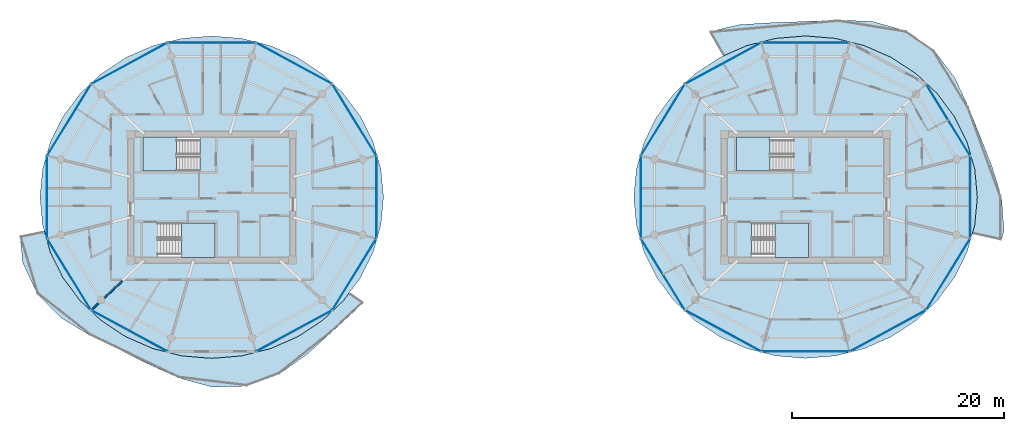
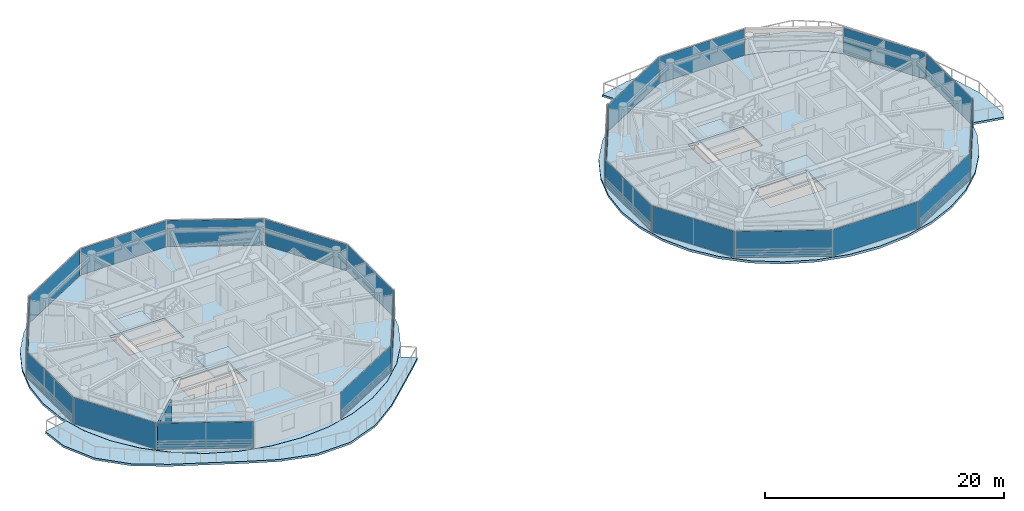
# One storey, part 8 of 19: 22 plates, 8 slabs, 1 wall, 26 elements without a shape of their own.
"""IFC4 building model written with IfcOpenShell, lengths in metres."""

from ifc_helpers import new_model, si_unit, direction, frame, frame_2d, origin, origin_2d, place, context, subcontext, project, spatial, polyline, rectangle, outline, extrude, source, transform, mapped, material, layer, layer_set, type_object, type_shapes, element, aggregate, save


model = new_model("IFC4")

# Units and contexts
model_context = context("Model", 3, precision=1e-05, world=origin(), true_north=direction((0.0, 1.0)))
body_context = subcontext(model_context, "Body", "Model", "MODEL_VIEW")
ifc_project = project(units=[si_unit("LENGTHUNIT", "METRE"), si_unit("AREAUNIT", "SQUARE_METRE"), si_unit("VOLUMEUNIT", "CUBIC_METRE"), si_unit("PLANEANGLEUNIT", "RADIAN"), si_unit("MASSUNIT", "GRAM", prefix="KILO")], contexts=[model_context])

# Site, building, storey
site_placement = place(None, origin())
site = spatial("IfcSite", under=ifc_project, at=site_placement, CompositionType="ELEMENT")
building_placement = place(site_placement, origin())
building = spatial("IfcBuilding", under=site, at=building_placement, Name="Norrkilde Senior Care Towers", CompositionType="ELEMENT")
storey_placement = place(building_placement, frame((0.0, 0.0, 235.25)))
storey = spatial("IfcBuildingStorey", under=building, at=storey_placement, Name="L73", CompositionType="ELEMENT", Elevation=235.25)

# Slabs
ifc_material_1 = material(Name="Concrete C50/60", Category="concrete")
ifc_layer_1 = layer(ifc_material_1, 0.215087890625)
ifc_layer_set_1 = layer_set([ifc_layer_1], Name="Concrete C50/60")
slab_type_1 = type_object("IfcSlabType", Name="Sinusoidal Balcony Ribbon Slab 215", PredefinedType="FLOOR", material=ifc_layer_set_1)
slab_1_placement = place(storey_placement, frame((0.0, 0.0, -0.215087890625)))
element("IfcSlab", 1, at=slab_1_placement, inside=storey, type_object=slab_type_1, Name="L73 Drum W Swirling Senior Balcony 1", PredefinedType="FLOOR", context=body_context, shape_type="SweptSolid", body=[
    extrude(outline(polyline([(-16.716796875, -12.7490234375), (-19.001953125, -14.821533203125), (-21.639892578125, -16.682861328125), (-24.71484375, -17.82275390625), (-28.0, -17.90087890625), (-31.155517578125, -17.038818359375), (-34.030029296875, -15.71630859375), (-36.7509765625, -14.365478515625), (-39.502685546875, -13.027587890625), (-42.210205078125, -11.38037109375), (-44.46728515625, -9.099853515625), (-45.81689453125, -6.204833984375), (-46.083251953125, -3.670654296875), (-43.797119140625, -3.20654296875), (-43.227783203125, -5.200439453125), (-42.033935546875, -7.6025390625), (-40.413818359375, -9.773681640625), (-38.416259765625, -11.647705078125), (-36.1025390625, -13.16796875), (-33.54248046875, -14.2880859375), (-30.81396484375, -14.97412109375), (-28.0, -15.205078125), (-25.18603515625, -14.97412109375), (-22.45751953125, -14.2880859375), (-19.8974609375, -13.16796875), (-17.583740234375, -11.647705078125), (-15.586181640625, -9.773681640625), (-15.015625, -9.0087890625), (-13.677978515625, -9.936767578125), (-14.51611328125, -10.730712890625), (-16.716796875, -12.7490234375)])), origin(), (0.0, 0.0, 1.0), 0.215087890625),
])
slab_2_placement = place(storey_placement, frame((0.0, 0.0, -0.215087890625)))
element("IfcSlab", 2, at=slab_2_placement, inside=storey, type_object=slab_type_1, Name="L73 Drum E Swirling Senior Balcony 1", PredefinedType="FLOOR", context=body_context, shape_type="SweptSolid", body=[
    extrude(outline(polyline([(43.722900390625, -3.46630859375), (43.958740234375, -2.640380859375), (44.205078125, 0.0), (43.958740234375, 2.640380859375), (43.227783203125, 5.200439453125), (42.033935546875, 7.6025390625), (40.413818359375, 9.773681640625), (38.416259765625, 11.647705078125), (36.1025390625, 13.16796875), (33.54248046875, 14.2880859375), (30.81396484375, 14.97412109375), (28.0, 15.205078125), (25.18603515625, 14.97412109375), (22.45751953125, 14.2880859375), (20.263671875, 13.328125), (18.937255859375, 15.613037109375), (21.78125, 16.268798828125), (24.939697265625, 16.463134765625), (28.0, 16.56689453125), (31.1005859375, 16.70654296875), (34.3212890625, 16.569091796875), (37.463134765625, 15.68017578125), (40.13427734375, 13.829833984375), (42.07421875, 11.2587890625), (43.397705078125, 8.44189453125), (44.482177734375, 5.68701171875), (45.573486328125, 2.94384765625), (46.486083984375, 0.0), (46.71484375, -3.158203125), (46.46484375, -4.07080078125), (43.722900390625, -3.46630859375)])), origin(), (0.0, 0.0, 1.0), 0.215087890625),
])

# Stair, slab
ifc_material_2 = material(Name="Concrete C45/55", Category="concrete")
stair_type = type_object("IfcStairType", Name="Core Protected Dogleg Stair Typical 3050", PredefinedType="HALF_TURN_STAIR", material=ifc_material_2)
stair_1_placement = place(storey_placement, origin())
stair_1 = element("IfcStair", 3, at=stair_1_placement, inside=storey, type_object=stair_type, Name="L73 Protected Core Stair W1", PredefinedType="HALF_TURN_STAIR")
ifc_layer_2 = layer(ifc_material_2, 0.199951171875)
ifc_layer_set_2 = layer_set([ifc_layer_2], Name="Concrete C45/55")
slab_type_2 = type_object("IfcSlabType", Name="Stair Landing Slab 200", PredefinedType="LANDING", material=ifc_layer_set_2)
slab_3_placement = place(storey_placement, frame((0.0, 0.0, 1.324951171875)))
slab_3 = element("IfcSlab", 4, at=slab_3_placement, type_object=slab_type_2, Name="ST-W1 landing 1", PredefinedType="LANDING", context=body_context, shape_type="SweptSolid", body=[
    extrude(outline(polyline([(-31.340087890625, 5.68994140625), (-34.5, 5.68994140625), (-34.5, 2.449951171875), (-31.340087890625, 2.449951171875), (-31.340087890625, 5.68994140625)])), origin(), (0.0, 0.0, 1.0), 0.199951171875),
])
aggregate(stair_1, [slab_3])

stair_2_placement = place(storey_placement, origin())
stair_2 = element("IfcStair", 5, at=stair_2_placement, inside=storey, type_object=stair_type, Name="L73 Protected Core Stair W2", PredefinedType="HALF_TURN_STAIR")
slab_4_placement = place(storey_placement, frame((0.0, 0.0, 1.324951171875)))
slab_4 = element("IfcSlab", 6, at=slab_4_placement, type_object=slab_type_2, Name="ST-W2 landing 1", PredefinedType="LANDING", context=body_context, shape_type="SweptSolid", body=[
    extrude(outline(polyline([(-30.860107421875, -5.68994140625), (-27.699951171875, -5.68994140625), (-27.699951171875, -2.449951171875), (-30.860107421875, -2.449951171875), (-30.860107421875, -5.68994140625)])), origin(), (0.0, 0.0, 1.0), 0.199951171875),
])
aggregate(stair_2, [slab_4])

stair_3_placement = place(storey_placement, origin())
stair_3 = element("IfcStair", 7, at=stair_3_placement, inside=storey, type_object=stair_type, Name="L73 Protected Core Stair E1", PredefinedType="HALF_TURN_STAIR")
slab_5_placement = place(storey_placement, frame((0.0, 0.0, 1.324951171875)))
slab_5 = element("IfcSlab", 8, at=slab_5_placement, type_object=slab_type_2, Name="ST-E1 landing 1", PredefinedType="LANDING", context=body_context, shape_type="SweptSolid", body=[
    extrude(outline(polyline([(24.659912109375, 5.68994140625), (21.5, 5.68994140625), (21.5, 2.449951171875), (24.659912109375, 2.449951171875), (24.659912109375, 5.68994140625)])), origin(), (0.0, 0.0, 1.0), 0.199951171875),
])
aggregate(stair_3, [slab_5])

stair_4_placement = place(storey_placement, origin())
stair_4 = element("IfcStair", 9, at=stair_4_placement, inside=storey, type_object=stair_type, Name="L73 Protected Core Stair E2", PredefinedType="HALF_TURN_STAIR")
slab_6_placement = place(storey_placement, frame((0.0, 0.0, 1.324951171875)))
slab_6 = element("IfcSlab", 10, at=slab_6_placement, type_object=slab_type_2, Name="ST-E2 landing 1", PredefinedType="LANDING", context=body_context, shape_type="SweptSolid", body=[
    extrude(outline(polyline([(25.139892578125, -5.68994140625), (28.300048828125, -5.68994140625), (28.300048828125, -2.449951171875), (25.139892578125, -2.449951171875), (25.139892578125, -5.68994140625)])), origin(), (0.0, 0.0, 1.0), 0.199951171875),
])
aggregate(stair_4, [slab_6])

# Slabs
ifc_layer_3 = layer(ifc_material_1, 0.239990234375)
ifc_layer_set_3 = layer_set([ifc_layer_3], Name="Concrete C50/60")
slab_type_3 = type_object("IfcSlabType", Name="Tower Residence Floor Slab 240", PredefinedType="FLOOR", material=ifc_layer_set_3)
slab_7_placement = place(storey_placement, frame((0.0, 0.0, -0.239990234375)))
element("IfcSlab", 11, at=slab_7_placement, inside=storey, type_object=slab_type_3, Name="L73 Drum W Structural Floor Slab", PredefinedType="FLOOR", context=body_context, shape_type="SweptSolid", body=[
    extrude(outline(polyline([(-12.777099609375, -5.19873046875), (-13.970458984375, -7.60009765625), (-15.590087890625, -9.770263671875), (-17.5869140625, -11.643798828125), (-19.89990234375, -13.16357421875), (-22.459228515625, -14.283447265625), (-25.18701171875, -14.968994140625), (-28.0, -15.199951171875), (-30.81298828125, -14.968994140625), (-33.540771484375, -14.283447265625), (-36.10009765625, -13.16357421875), (-38.4130859375, -11.643798828125), (-40.409912109375, -9.770263671875), (-42.029541015625, -7.60009765625), (-43.222900390625, -5.19873046875), (-43.953857421875, -2.639404296875), (-44.199951171875, 0.0), (-43.953857421875, 2.639404296875), (-43.222900390625, 5.19873046875), (-42.029541015625, 7.60009765625), (-40.409912109375, 9.770263671875), (-38.4130859375, 11.643798828125), (-36.10009765625, 13.16357421875), (-33.540771484375, 14.283447265625), (-30.81298828125, 14.968994140625), (-28.0, 15.199951171875), (-25.18701171875, 14.968994140625), (-22.459228515625, 14.283447265625), (-19.89990234375, 13.16357421875), (-17.5869140625, 11.643798828125), (-15.590087890625, 9.770263671875), (-13.970458984375, 7.60009765625), (-12.777099609375, 5.19873046875), (-12.046142578125, 2.639404296875), (-11.800048828125, 0.0), (-12.046142578125, -2.639404296875), (-12.777099609375, -5.19873046875)]), holes=[polyline([(-34.48193359375, 2.468017578125), (-29.117919921875, 2.468017578125), (-29.117919921875, 5.68994140625), (-34.48193359375, 5.68994140625), (-34.48193359375, 2.468017578125)]), polyline([(-27.718017578125, -5.68994140625), (-27.718017578125, -2.468017578125), (-33.08203125, -2.468017578125), (-33.08203125, -5.68994140625), (-27.718017578125, -5.68994140625)])]), origin(), (0.0, 0.0, 1.0), 0.239990234375),
])
slab_8_placement = place(storey_placement, frame((0.0, 0.0, -0.239990234375)))
element("IfcSlab", 12, at=slab_8_placement, inside=storey, type_object=slab_type_3, Name="L73 Drum E Structural Floor Slab", PredefinedType="FLOOR", context=body_context, shape_type="SweptSolid", body=[
    extrude(outline(polyline([(43.222900390625, -5.19873046875), (42.029541015625, -7.60009765625), (40.409912109375, -9.770263671875), (38.4130859375, -11.643798828125), (36.10009765625, -13.16357421875), (33.540771484375, -14.283447265625), (30.81298828125, -14.968994140625), (28.0, -15.199951171875), (25.18701171875, -14.968994140625), (22.459228515625, -14.283447265625), (19.89990234375, -13.16357421875), (17.5869140625, -11.643798828125), (15.590087890625, -9.770263671875), (13.970458984375, -7.60009765625), (12.777099609375, -5.19873046875), (12.046142578125, -2.639404296875), (11.800048828125, 0.0), (12.046142578125, 2.639404296875), (12.777099609375, 5.19873046875), (13.970458984375, 7.60009765625), (15.590087890625, 9.770263671875), (17.5869140625, 11.643798828125), (19.89990234375, 13.16357421875), (22.459228515625, 14.283447265625), (25.18701171875, 14.968994140625), (28.0, 15.199951171875), (30.81298828125, 14.968994140625), (33.540771484375, 14.283447265625), (36.10009765625, 13.16357421875), (38.4130859375, 11.643798828125), (40.409912109375, 9.770263671875), (42.029541015625, 7.60009765625), (43.222900390625, 5.19873046875), (43.953857421875, 2.639404296875), (44.199951171875, 0.0), (43.953857421875, -2.639404296875), (43.222900390625, -5.19873046875)]), holes=[polyline([(21.51806640625, 2.468017578125), (26.882080078125, 2.468017578125), (26.882080078125, 5.68994140625), (21.51806640625, 5.68994140625), (21.51806640625, 2.468017578125)]), polyline([(28.281982421875, -5.68994140625), (28.281982421875, -2.468017578125), (22.91796875, -2.468017578125), (22.91796875, -5.68994140625), (28.281982421875, -5.68994140625)])]), origin(), (0.0, 0.0, 1.0), 0.239990234375),
])

# Curtain wall, plate
ifc_material_3 = material(Name="Triple Low-E Insulated Glazing", Category="glass")
ifc_layer_4 = layer(ifc_material_3, 0.18505859375)
ifc_layer_set_4 = layer_set([ifc_layer_4], Name="Triple Low-E Insulated Glazing")
curtain_wall_type = type_object("IfcCurtainWallType", Name="CW6 Zone 4 Crown Pavilion Curtain Wall", PredefinedType="NOTDEFINED", material=ifc_layer_set_4)
curtain_wall_1_placement = place(storey_placement, origin())
curtain_wall_1 = element("IfcCurtainWall", 13, at=curtain_wall_1_placement, inside=storey, type_object=curtain_wall_type, Name="L73 Drum W Curtain Wall 00", PredefinedType="NOTDEFINED")
ifc_layer_5 = layer(ifc_material_3, 0.035888671875)
ifc_layer_set_5 = layer_set([ifc_layer_5], Name="Triple Low-E Insulated Glazing")
plate_type = type_object("IfcPlateType", Name="Triple Low-E Vision Curtain Panel 36", PredefinedType="CURTAIN_PANEL", material=ifc_layer_set_5)
shared_shape_1 = source(origin(), body_context, "Body", "SweptSolid", [
    extrude(rectangle(XDim=7.80859375, YDim=0.035888671875, at=origin_2d()), origin(), (0.0, 0.0, 1.0), 2.68994140625),
])
plate_1_placement = place(storey_placement, frame((-14.548828125, 7.282958984375, 0.06005859375), z_axis=(0.0, 0.0, 1.0), x_axis=(0.524252726748, -0.851562727283, 0.0)))
plate_1 = element("IfcPlate", 14, at=plate_1_placement, type_object=plate_type, Name="CW-6 panel 1.1", PredefinedType="CURTAIN_PANEL", context=body_context, shape_type="MappedRepresentation", body=[
    mapped(shared_shape_1, transform((0.0, 0.0, 0.0), x_axis=(1.0, 0.0, 0.0), y_axis=(0.0, 1.0, 0.0), z_axis=(0.0, 0.0, 1.0), scale=1.0)),
])
aggregate(curtain_wall_1, [plate_1])

curtain_wall_2_placement = place(storey_placement, origin())
curtain_wall_2 = element("IfcCurtainWall", 15, at=curtain_wall_2_placement, inside=storey, type_object=curtain_wall_type, Name="L73 Drum W Curtain Wall 04", PredefinedType="NOTDEFINED")
plate_2_placement = place(storey_placement, frame((-41.451171875, 7.282958984375, 0.06005859375), z_axis=(0.0, 0.0, 1.0), x_axis=(0.524252726748, 0.851562727283, 0.0)))
plate_2 = element("IfcPlate", 16, at=plate_2_placement, type_object=plate_type, Name="CW-6 panel 1.1", PredefinedType="CURTAIN_PANEL", context=body_context, shape_type="MappedRepresentation", body=[
    mapped(shared_shape_1, transform((0.0, 0.0, 0.0), x_axis=(1.0, 0.0, 0.0), y_axis=(0.0, 1.0, 0.0), z_axis=(0.0, 0.0, 1.0), scale=1.0)),
])
aggregate(curtain_wall_2, [plate_2])

curtain_wall_3_placement = place(storey_placement, origin())
curtain_wall_3 = element("IfcCurtainWall", 17, at=curtain_wall_3_placement, inside=storey, type_object=curtain_wall_type, Name="L73 Drum W Curtain Wall 06", PredefinedType="NOTDEFINED")
plate_3_placement = place(storey_placement, frame((-41.451171875, -7.282958984375, 0.06005859375), z_axis=(0.0, 0.0, 1.0), x_axis=(-0.524252726748, 0.851562727283, 0.0)))
plate_3 = element("IfcPlate", 18, at=plate_3_placement, type_object=plate_type, Name="CW-6 panel 1.1", PredefinedType="CURTAIN_PANEL", context=body_context, shape_type="MappedRepresentation", body=[
    mapped(shared_shape_1, transform((0.0, 0.0, 0.0), x_axis=(1.0, 0.0, 0.0), y_axis=(0.0, 1.0, 0.0), z_axis=(0.0, 0.0, 1.0), scale=1.0)),
])
aggregate(curtain_wall_3, [plate_3])

curtain_wall_4_placement = place(storey_placement, origin())
curtain_wall_4 = element("IfcCurtainWall", 19, at=curtain_wall_4_placement, inside=storey, type_object=curtain_wall_type, Name="L73 Drum W Curtain Wall 10", PredefinedType="NOTDEFINED")
plate_4_placement = place(storey_placement, frame((-14.548828125, -7.282958984375, 0.06005859375), z_axis=(0.0, 0.0, 1.0), x_axis=(-0.524252726748, -0.851562727283, 0.0)))
plate_4 = element("IfcPlate", 20, at=plate_4_placement, type_object=plate_type, Name="CW-6 panel 1.1", PredefinedType="CURTAIN_PANEL", context=body_context, shape_type="MappedRepresentation", body=[
    mapped(shared_shape_1, transform((0.0, 0.0, 0.0), x_axis=(1.0, 0.0, 0.0), y_axis=(0.0, 1.0, 0.0), z_axis=(0.0, 0.0, 1.0), scale=1.0)),
])
aggregate(curtain_wall_4, [plate_4])

curtain_wall_5_placement = place(storey_placement, origin())
curtain_wall_5 = element("IfcCurtainWall", 21, at=curtain_wall_5_placement, inside=storey, type_object=curtain_wall_type, Name="L73 Drum E Curtain Wall 00", PredefinedType="NOTDEFINED")
plate_5_placement = place(storey_placement, frame((41.451171875, 7.282958984375, 0.06005859375), z_axis=(0.0, 0.0, 1.0), x_axis=(0.524252726748, -0.851562727283, 0.0)))
plate_5 = element("IfcPlate", 22, at=plate_5_placement, type_object=plate_type, Name="CW-6 panel 1.1", PredefinedType="CURTAIN_PANEL", context=body_context, shape_type="MappedRepresentation", body=[
    mapped(shared_shape_1, transform((0.0, 0.0, 0.0), x_axis=(1.0, 0.0, 0.0), y_axis=(0.0, 1.0, 0.0), z_axis=(0.0, 0.0, 1.0), scale=1.0)),
])
aggregate(curtain_wall_5, [plate_5])

curtain_wall_6_placement = place(storey_placement, origin())
curtain_wall_6 = element("IfcCurtainWall", 23, at=curtain_wall_6_placement, inside=storey, type_object=curtain_wall_type, Name="L73 Drum E Curtain Wall 04", PredefinedType="NOTDEFINED")
plate_6_placement = place(storey_placement, frame((14.548828125, 7.282958984375, 0.06005859375), z_axis=(0.0, 0.0, 1.0), x_axis=(0.524252726748, 0.851562727283, 0.0)))
plate_6 = element("IfcPlate", 24, at=plate_6_placement, type_object=plate_type, Name="CW-6 panel 1.1", PredefinedType="CURTAIN_PANEL", context=body_context, shape_type="MappedRepresentation", body=[
    mapped(shared_shape_1, transform((0.0, 0.0, 0.0), x_axis=(1.0, 0.0, 0.0), y_axis=(0.0, 1.0, 0.0), z_axis=(0.0, 0.0, 1.0), scale=1.0)),
])
aggregate(curtain_wall_6, [plate_6])

curtain_wall_7_placement = place(storey_placement, origin())
curtain_wall_7 = element("IfcCurtainWall", 25, at=curtain_wall_7_placement, inside=storey, type_object=curtain_wall_type, Name="L73 Drum E Curtain Wall 06", PredefinedType="NOTDEFINED")
plate_7_placement = place(storey_placement, frame((14.548828125, -7.282958984375, 0.06005859375), z_axis=(0.0, 0.0, 1.0), x_axis=(-0.524252726748, 0.851562727283, 0.0)))
plate_7 = element("IfcPlate", 26, at=plate_7_placement, type_object=plate_type, Name="CW-6 panel 1.1", PredefinedType="CURTAIN_PANEL", context=body_context, shape_type="MappedRepresentation", body=[
    mapped(shared_shape_1, transform((0.0, 0.0, 0.0), x_axis=(1.0, 0.0, 0.0), y_axis=(0.0, 1.0, 0.0), z_axis=(0.0, 0.0, 1.0), scale=1.0)),
])
aggregate(curtain_wall_7, [plate_7])

curtain_wall_8_placement = place(storey_placement, origin())
curtain_wall_8 = element("IfcCurtainWall", 27, at=curtain_wall_8_placement, inside=storey, type_object=curtain_wall_type, Name="L73 Drum E Curtain Wall 10", PredefinedType="NOTDEFINED")
plate_8_placement = place(storey_placement, frame((41.451171875, -7.282958984375, 0.06005859375), z_axis=(0.0, 0.0, 1.0), x_axis=(-0.524252726748, -0.851562727283, 0.0)))
plate_8 = element("IfcPlate", 28, at=plate_8_placement, type_object=plate_type, Name="CW-6 panel 1.1", PredefinedType="CURTAIN_PANEL", context=body_context, shape_type="MappedRepresentation", body=[
    mapped(shared_shape_1, transform((0.0, 0.0, 0.0), x_axis=(1.0, 0.0, 0.0), y_axis=(0.0, 1.0, 0.0), z_axis=(0.0, 0.0, 1.0), scale=1.0)),
])
aggregate(curtain_wall_8, [plate_8])

curtain_wall_9_placement = place(storey_placement, origin())
curtain_wall_9 = element("IfcCurtainWall", 29, at=curtain_wall_9_placement, inside=storey, type_object=curtain_wall_type, Name="L73 Drum W Curtain Wall 02", PredefinedType="NOTDEFINED")
shared_shape_2 = source(origin(), body_context, "Body", "SweptSolid", [
    extrude(rectangle(XDim=8.193603515625, YDim=0.035888671875, at=origin_2d()), origin(), (0.0, 0.0, 1.0), 2.68994140625),
])
plate_9_placement = place(storey_placement, frame((-28.0, 14.566162109375, 0.06005859375), z_axis=(0.0, 0.0, 1.0), x_axis=(1.0, 0.0, 0.0)))
plate_9 = element("IfcPlate", 30, at=plate_9_placement, type_object=plate_type, Name="CW-6 panel 1.1", PredefinedType="CURTAIN_PANEL", context=body_context, shape_type="MappedRepresentation", body=[
    mapped(shared_shape_2, transform((0.0, 0.0, 0.0), x_axis=(1.0, 0.0, 0.0), y_axis=(0.0, 1.0, 0.0), z_axis=(0.0, 0.0, 1.0), scale=1.0)),
])
aggregate(curtain_wall_9, [plate_9])

curtain_wall_10_placement = place(storey_placement, origin())
curtain_wall_10 = element("IfcCurtainWall", 31, at=curtain_wall_10_placement, inside=storey, type_object=curtain_wall_type, Name="L73 Drum E Curtain Wall 02", PredefinedType="NOTDEFINED")
plate_10_placement = place(storey_placement, frame((28.0, 14.566162109375, 0.06005859375), z_axis=(0.0, 0.0, 1.0), x_axis=(1.0, 0.0, 0.0)))
plate_10 = element("IfcPlate", 32, at=plate_10_placement, type_object=plate_type, Name="CW-6 panel 1.1", PredefinedType="CURTAIN_PANEL", context=body_context, shape_type="MappedRepresentation", body=[
    mapped(shared_shape_2, transform((0.0, 0.0, 0.0), x_axis=(1.0, 0.0, 0.0), y_axis=(0.0, 1.0, 0.0), z_axis=(0.0, 0.0, 1.0), scale=1.0)),
])
aggregate(curtain_wall_10, [plate_10])

curtain_wall_11_placement = place(storey_placement, origin())
curtain_wall_11 = element("IfcCurtainWall", 33, at=curtain_wall_11_placement, inside=storey, type_object=curtain_wall_type, Name="L73 Drum E Curtain Wall 08", PredefinedType="NOTDEFINED")
plate_11_placement = place(storey_placement, frame((28.0, -14.566162109375, 0.06005859375), z_axis=(0.0, 0.0, 1.0), x_axis=(-1.0, 0.0, 0.0)))
plate_11 = element("IfcPlate", 34, at=plate_11_placement, type_object=plate_type, Name="CW-6 panel 1.1", PredefinedType="CURTAIN_PANEL", context=body_context, shape_type="MappedRepresentation", body=[
    mapped(shared_shape_2, transform((0.0, 0.0, 0.0), x_axis=(1.0, 0.0, 0.0), y_axis=(0.0, 1.0, 0.0), z_axis=(0.0, 0.0, 1.0), scale=1.0)),
])
aggregate(curtain_wall_11, [plate_11])

curtain_wall_12_placement = place(storey_placement, origin())
curtain_wall_12 = element("IfcCurtainWall", 35, at=curtain_wall_12_placement, inside=storey, type_object=curtain_wall_type, Name="L73 Drum W Curtain Wall 01", PredefinedType="NOTDEFINED")
shared_shape_3 = source(origin(), body_context, "Body", "SweptSolid", [
    extrude(rectangle(XDim=8.0673828125, YDim=0.035888671875, at=origin_2d()), origin(), (0.0, 0.0, 1.0), 2.68994140625),
])
plate_12_placement = place(storey_placement, frame((-20.23388671875, 12.61474609375, 0.06005859375), z_axis=(0.0, 0.0, 1.0), x_axis=(0.879373455772, -0.476132676136, 0.0)))
plate_12 = element("IfcPlate", 36, at=plate_12_placement, type_object=plate_type, Name="CW-6 panel 1.1", PredefinedType="CURTAIN_PANEL", context=body_context, shape_type="MappedRepresentation", body=[
    mapped(shared_shape_3, transform((0.0, 0.0, 0.0), x_axis=(1.0, 0.0, 0.0), y_axis=(0.0, 1.0, 0.0), z_axis=(0.0, 0.0, 1.0), scale=1.0)),
])
aggregate(curtain_wall_12, [plate_12])

curtain_wall_13_placement = place(storey_placement, origin())
curtain_wall_13 = element("IfcCurtainWall", 37, at=curtain_wall_13_placement, inside=storey, type_object=curtain_wall_type, Name="L73 Drum W Curtain Wall 03", PredefinedType="NOTDEFINED")
plate_13_placement = place(storey_placement, frame((-35.76611328125, 12.61474609375, 0.06005859375), z_axis=(0.0, 0.0, 1.0), x_axis=(0.879373455772, 0.476132676136, 0.0)))
plate_13 = element("IfcPlate", 38, at=plate_13_placement, type_object=plate_type, Name="CW-6 panel 1.1", PredefinedType="CURTAIN_PANEL", context=body_context, shape_type="MappedRepresentation", body=[
    mapped(shared_shape_3, transform((0.0, 0.0, 0.0), x_axis=(1.0, 0.0, 0.0), y_axis=(0.0, 1.0, 0.0), z_axis=(0.0, 0.0, 1.0), scale=1.0)),
])
aggregate(curtain_wall_13, [plate_13])

curtain_wall_14_placement = place(storey_placement, origin())
curtain_wall_14 = element("IfcCurtainWall", 39, at=curtain_wall_14_placement, inside=storey, type_object=curtain_wall_type, Name="L73 Drum W Curtain Wall 07", PredefinedType="NOTDEFINED")
plate_14_placement = place(storey_placement, frame((-35.76611328125, -12.61474609375, 0.06005859375), z_axis=(0.0, 0.0, 1.0), x_axis=(-0.879373455772, 0.476132676136, 0.0)))
plate_14 = element("IfcPlate", 40, at=plate_14_placement, type_object=plate_type, Name="CW-6 panel 1.1", PredefinedType="CURTAIN_PANEL", context=body_context, shape_type="MappedRepresentation", body=[
    mapped(shared_shape_3, transform((0.0, 0.0, 0.0), x_axis=(1.0, 0.0, 0.0), y_axis=(0.0, 1.0, 0.0), z_axis=(0.0, 0.0, 1.0), scale=1.0)),
])
aggregate(curtain_wall_14, [plate_14])

curtain_wall_15_placement = place(storey_placement, origin())
curtain_wall_15 = element("IfcCurtainWall", 41, at=curtain_wall_15_placement, inside=storey, type_object=curtain_wall_type, Name="L73 Drum W Curtain Wall 09", PredefinedType="NOTDEFINED")
plate_15_placement = place(storey_placement, frame((-20.23388671875, -12.61474609375, 0.06005859375), z_axis=(0.0, 0.0, 1.0), x_axis=(-0.879373455772, -0.476132676136, 0.0)))
plate_15 = element("IfcPlate", 42, at=plate_15_placement, type_object=plate_type, Name="CW-6 panel 1.1", PredefinedType="CURTAIN_PANEL", context=body_context, shape_type="MappedRepresentation", body=[
    mapped(shared_shape_3, transform((0.0, 0.0, 0.0), x_axis=(1.0, 0.0, 0.0), y_axis=(0.0, 1.0, 0.0), z_axis=(0.0, 0.0, 1.0), scale=1.0)),
])
aggregate(curtain_wall_15, [plate_15])

curtain_wall_16_placement = place(storey_placement, origin())
curtain_wall_16 = element("IfcCurtainWall", 43, at=curtain_wall_16_placement, inside=storey, type_object=curtain_wall_type, Name="L73 Drum E Curtain Wall 03", PredefinedType="NOTDEFINED")
plate_16_placement = place(storey_placement, frame((20.23388671875, 12.61474609375, 0.06005859375), z_axis=(0.0, 0.0, 1.0), x_axis=(0.879373455772, 0.476132676136, 0.0)))
plate_16 = element("IfcPlate", 44, at=plate_16_placement, type_object=plate_type, Name="CW-6 panel 1.1", PredefinedType="CURTAIN_PANEL", context=body_context, shape_type="MappedRepresentation", body=[
    mapped(shared_shape_3, transform((0.0, 0.0, 0.0), x_axis=(1.0, 0.0, 0.0), y_axis=(0.0, 1.0, 0.0), z_axis=(0.0, 0.0, 1.0), scale=1.0)),
])
aggregate(curtain_wall_16, [plate_16])

curtain_wall_17_placement = place(storey_placement, origin())
curtain_wall_17 = element("IfcCurtainWall", 45, at=curtain_wall_17_placement, inside=storey, type_object=curtain_wall_type, Name="L73 Drum E Curtain Wall 07", PredefinedType="NOTDEFINED")
plate_17_placement = place(storey_placement, frame((20.23388671875, -12.61474609375, 0.06005859375), z_axis=(0.0, 0.0, 1.0), x_axis=(-0.879373455772, 0.476132676136, 0.0)))
plate_17 = element("IfcPlate", 46, at=plate_17_placement, type_object=plate_type, Name="CW-6 panel 1.1", PredefinedType="CURTAIN_PANEL", context=body_context, shape_type="MappedRepresentation", body=[
    mapped(shared_shape_3, transform((0.0, 0.0, 0.0), x_axis=(1.0, 0.0, 0.0), y_axis=(0.0, 1.0, 0.0), z_axis=(0.0, 0.0, 1.0), scale=1.0)),
])
aggregate(curtain_wall_17, [plate_17])

curtain_wall_18_placement = place(storey_placement, origin())
curtain_wall_18 = element("IfcCurtainWall", 47, at=curtain_wall_18_placement, inside=storey, type_object=curtain_wall_type, Name="L73 Drum E Curtain Wall 09", PredefinedType="NOTDEFINED")
plate_18_placement = place(storey_placement, frame((35.76611328125, -12.61474609375, 0.06005859375), z_axis=(0.0, 0.0, 1.0), x_axis=(-0.879373455772, -0.476132676136, 0.0)))
plate_18 = element("IfcPlate", 48, at=plate_18_placement, type_object=plate_type, Name="CW-6 panel 1.1", PredefinedType="CURTAIN_PANEL", context=body_context, shape_type="MappedRepresentation", body=[
    mapped(shared_shape_3, transform((0.0, 0.0, 0.0), x_axis=(1.0, 0.0, 0.0), y_axis=(0.0, 1.0, 0.0), z_axis=(0.0, 0.0, 1.0), scale=1.0)),
])
aggregate(curtain_wall_18, [plate_18])

curtain_wall_19_placement = place(storey_placement, origin())
curtain_wall_19 = element("IfcCurtainWall", 49, at=curtain_wall_19_placement, inside=storey, type_object=curtain_wall_type, Name="L73 Drum W Curtain Wall 05", PredefinedType="NOTDEFINED")
shared_shape_4 = source(origin(), body_context, "Body", "SweptSolid", [
    extrude(rectangle(XDim=7.676025390625, YDim=0.035888671875, at=origin_2d()), origin(), (0.0, 0.0, 1.0), 2.68994140625),
])
type_shapes(plate_type, [shared_shape_1, shared_shape_2, shared_shape_3, shared_shape_4])
plate_19_placement = place(storey_placement, frame((-43.531982421875, 0.0, 0.06005859375), z_axis=(0.0, 0.0, 1.0), x_axis=(0.0, 1.0, 0.0)))
plate_19 = element("IfcPlate", 50, at=plate_19_placement, type_object=plate_type, Name="CW-6 panel 1.1", PredefinedType="CURTAIN_PANEL", context=body_context, shape_type="MappedRepresentation", body=[
    mapped(shared_shape_4, transform((0.0, 0.0, 0.0), x_axis=(1.0, 0.0, 0.0), y_axis=(0.0, 1.0, 0.0), z_axis=(0.0, 0.0, 1.0), scale=1.0)),
])
aggregate(curtain_wall_19, [plate_19])

curtain_wall_20_placement = place(storey_placement, origin())
curtain_wall_20 = element("IfcCurtainWall", 51, at=curtain_wall_20_placement, inside=storey, type_object=curtain_wall_type, Name="L73 Drum W Curtain Wall 11", PredefinedType="NOTDEFINED")
plate_20_placement = place(storey_placement, frame((-12.468017578125, 0.0, 0.06005859375), z_axis=(0.0, 0.0, 1.0), x_axis=(0.0, -1.0, 0.0)))
plate_20 = element("IfcPlate", 52, at=plate_20_placement, type_object=plate_type, Name="CW-6 panel 1.1", PredefinedType="CURTAIN_PANEL", context=body_context, shape_type="MappedRepresentation", body=[
    mapped(shared_shape_4, transform((0.0, 0.0, 0.0), x_axis=(1.0, 0.0, 0.0), y_axis=(0.0, 1.0, 0.0), z_axis=(0.0, 0.0, 1.0), scale=1.0)),
])
aggregate(curtain_wall_20, [plate_20])

curtain_wall_21_placement = place(storey_placement, origin())
curtain_wall_21 = element("IfcCurtainWall", 53, at=curtain_wall_21_placement, inside=storey, type_object=curtain_wall_type, Name="L73 Drum E Curtain Wall 05", PredefinedType="NOTDEFINED")
plate_21_placement = place(storey_placement, frame((12.468017578125, 0.0, 0.06005859375), z_axis=(0.0, 0.0, 1.0), x_axis=(0.0, 1.0, 0.0)))
plate_21 = element("IfcPlate", 54, at=plate_21_placement, type_object=plate_type, Name="CW-6 panel 1.1", PredefinedType="CURTAIN_PANEL", context=body_context, shape_type="MappedRepresentation", body=[
    mapped(shared_shape_4, transform((0.0, 0.0, 0.0), x_axis=(1.0, 0.0, 0.0), y_axis=(0.0, 1.0, 0.0), z_axis=(0.0, 0.0, 1.0), scale=1.0)),
])
aggregate(curtain_wall_21, [plate_21])

curtain_wall_22_placement = place(storey_placement, origin())
curtain_wall_22 = element("IfcCurtainWall", 55, at=curtain_wall_22_placement, inside=storey, type_object=curtain_wall_type, Name="L73 Drum E Curtain Wall 11", PredefinedType="NOTDEFINED")
plate_22_placement = place(storey_placement, frame((43.531982421875, 0.0, 0.06005859375), z_axis=(0.0, 0.0, 1.0), x_axis=(0.0, -1.0, 0.0)))
plate_22 = element("IfcPlate", 56, at=plate_22_placement, type_object=plate_type, Name="CW-6 panel 1.1", PredefinedType="CURTAIN_PANEL", context=body_context, shape_type="MappedRepresentation", body=[
    mapped(shared_shape_4, transform((0.0, 0.0, 0.0), x_axis=(1.0, 0.0, 0.0), y_axis=(0.0, 1.0, 0.0), z_axis=(0.0, 0.0, 1.0), scale=1.0)),
])
aggregate(curtain_wall_22, [plate_22])

# Wall
ifc_material_4 = material(Name="Gypsum Acoustic Board")
ifc_layer_6 = layer(ifc_material_4, 0.18994140625)
ifc_layer_set_6 = layer_set([ifc_layer_6], Name="Gypsum Acoustic Board")
wall_type = type_object("IfcWallType", Name="Unit Demising Acoustic Wall 190", PredefinedType="PARTITIONING", material=ifc_layer_set_6)
shared_shape_5 = source(origin(), body_context, "Body", "SweptSolid", [
    extrude(rectangle(XDim=4.089111328125, YDim=0.18994140625, at=frame_2d((2.04443359375, 0.0))), origin(), (0.0, 0.0, 1.0), 2.39501953125),
])
type_shapes(wall_type, [shared_shape_5])
wall_placement = place(storey_placement, frame((-36.40185546875, -7.8798828125, 0.0), z_axis=(0.0, 0.0, 1.0), x_axis=(-0.729401273609, -0.684086092577, 0.0)))
element("IfcWall", 57, at=wall_placement, inside=storey, type_object=wall_type, Name="WL-INT-L73-W-DEM-07-0", PredefinedType="PARTITIONING", context=body_context, shape_type="MappedRepresentation", body=[
    mapped(shared_shape_5, transform((0.0, 0.0, 0.0), x_axis=(1.0, 0.0, 0.0), y_axis=(0.0, 1.0, 0.0), z_axis=(0.0, 0.0, 1.0), scale=1.0)),
])

save(model, "model.ifc")
